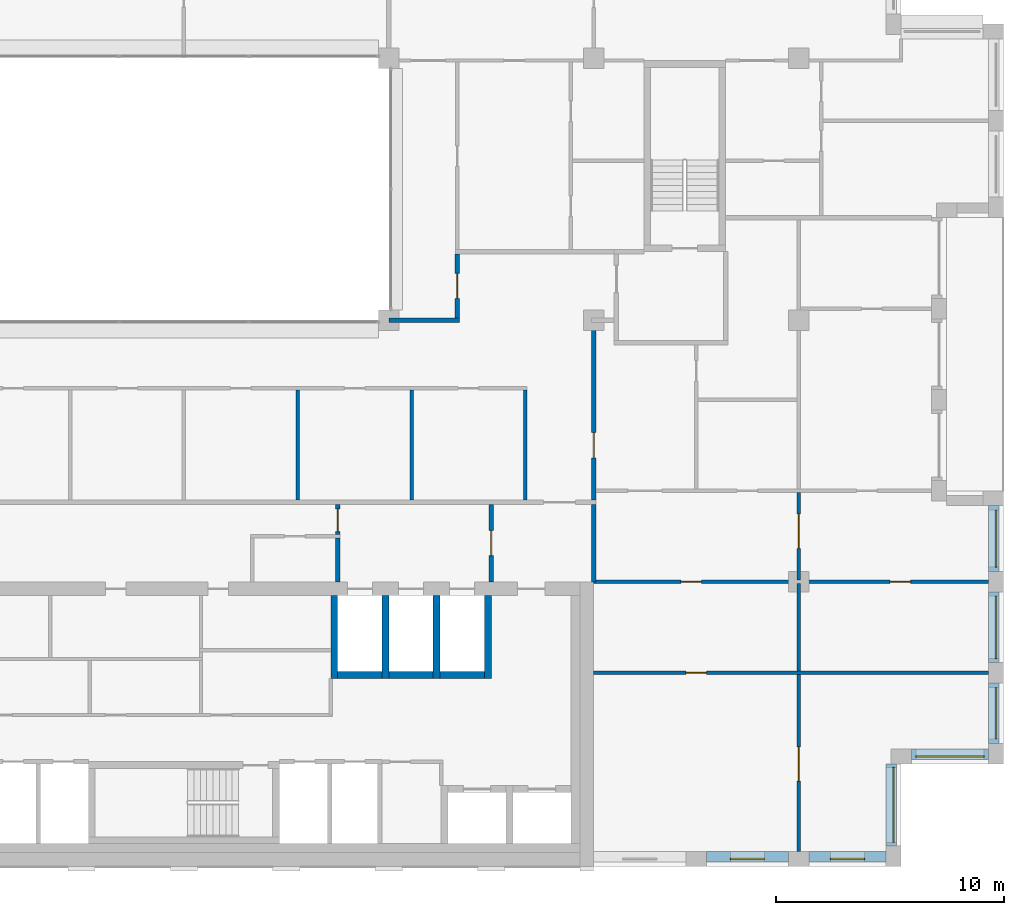
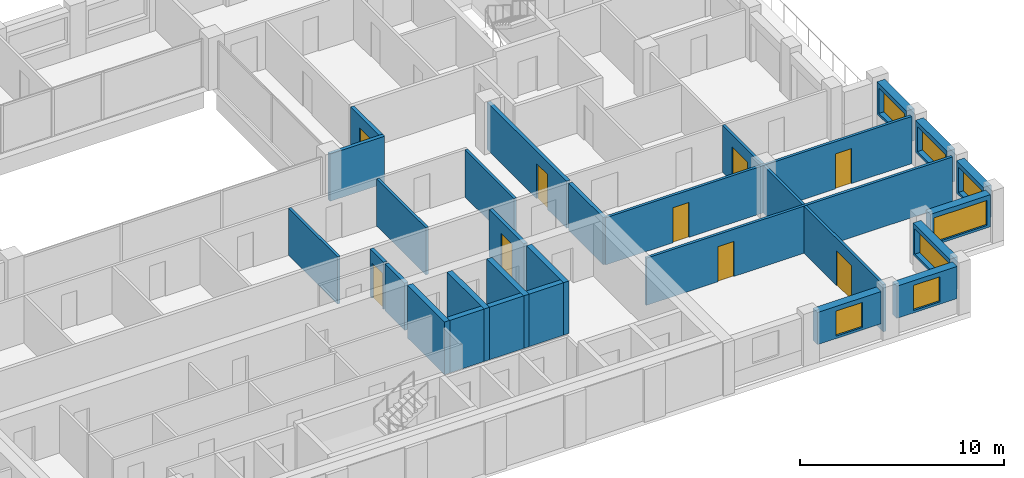
# One storey, part 11 of 15: 29 walls, 9 doors, 7 windows, 16 openings.
"""IFC4 building model written with IfcOpenShell, lengths in metres."""

from ifc_helpers import new_model, si_unit, direction, frame, frame_2d, origin, place, context, subcontext, project, spatial, rectangle, extrude, material, layer, layer_set, type_object, element, fill, save


model = new_model("IFC4")

# Units and contexts
model_context = context("Model", 3, precision=1e-05, world=origin(), true_north=direction((0.0, 1.0)))
body_context = subcontext(model_context, "Body", "Model", "MODEL_VIEW")
ifc_project = project(units=[si_unit("LENGTHUNIT", "METRE"), si_unit("AREAUNIT", "SQUARE_METRE"), si_unit("VOLUMEUNIT", "CUBIC_METRE"), si_unit("PLANEANGLEUNIT", "RADIAN"), si_unit("MASSUNIT", "GRAM", prefix="KILO")], contexts=[model_context])

# Site, building, storey
site_placement = place(None, origin())
site = spatial("IfcSite", under=ifc_project, at=site_placement, CompositionType="ELEMENT")
building_placement = place(site_placement, origin())
building = spatial("IfcBuilding", under=site, at=building_placement, Name="Brigalow Station Residences", CompositionType="ELEMENT")
storey_placement = place(building_placement, frame((0.0, 0.0, 210.60009765625)))
storey = spatial("IfcBuildingStorey", under=building, at=storey_placement, Name="L60", CompositionType="ELEMENT", Elevation=210.60009765625)

# Wall, opening, window
ifc_material_1 = material(Name="Clay brick masonry", Category="masonry")
ifc_layer_1 = layer(ifc_material_1, 0.449951171875)
ifc_layer_set_1 = layer_set([ifc_layer_1], Name="BRICK INFILL WALL 450")
wall_type_1 = type_object("IfcWallType", Name="BRICK INFILL WALL 450", PredefinedType="SOLIDWALL", material=ifc_layer_set_1)
wall_1_placement = place(storey_placement, frame((58.949951171875, 0.425048828125, 0.89990234375), z_axis=(0.0, 0.0, 1.0), x_axis=(1.0, 0.0, 0.0)))
wall_1 = element("IfcWall", 1, at=wall_1_placement, inside=storey, type_object=wall_type_1, Name="L60/ewall/W-L60-4", PredefinedType="SOLIDWALL", context=body_context, shape_type="SweptSolid", body=[
    extrude(rectangle(XDim=3.60009765625, YDim=0.449951171875, at=frame_2d((1.800048828125, 0.0))), origin(), (0.0, 0.0, 1.0), 1.929931640625),
])
opening_1_placement = place(wall_1_placement, frame((1.050048828125, 0.0, 0.14990234375)))
opening_1 = element("IfcOpeningElement", 2, at=opening_1_placement, cuts=wall_1, Name="Opening WT-1", PredefinedType="OPENING", context=body_context, shape_type="SweptSolid", body=[
    extrude(rectangle(XDim=1.5, YDim=1.5, at=frame_2d((0.75, 0.75))), frame((0.0, 0.23486328125, 0.0), z_axis=(0.0, -1.0, 0.0), x_axis=(1.0, 0.0, 0.0)), (0.0, 0.0, 1.0), 0.469970703125),
])
ifc_material_2 = material(Name="Anodised aluminium frame with double glazing", Category="aluminium")
window_type_1 = type_object("IfcWindowType", Name="WINDOW 1500x1500", PartitioningType="SINGLE_PANEL", PredefinedType="WINDOW", material=ifc_material_2)
window_1_placement = place(opening_1_placement, origin())
window_1 = element("IfcWindow", 3, at=window_1_placement, inside=storey, type_object=window_type_1, Name="L60/window/W-L60-4", OverallHeight=1.5, OverallWidth=1.5, PartitioningType="SINGLE_PANEL", PredefinedType="WINDOW", context=body_context, shape_type="SweptSolid", body=[
    extrude(rectangle(XDim=1.5, YDim=1.5, at=frame_2d((0.75, 0.75))), frame((0.0, -0.06494140625, 0.0), z_axis=(0.0, -1.0, 0.0), x_axis=(1.0, 0.0, 0.0)), (0.0, 0.0, 1.0), 0.06005859375),
])
fill(opening_1, window_1)

wall_2_placement = place(storey_placement, frame((63.449951171875, 0.425048828125, 0.89990234375), z_axis=(0.0, 0.0, 1.0), x_axis=(1.0, 0.0, 0.0)))
wall_2 = element("IfcWall", 4, at=wall_2_placement, inside=storey, type_object=wall_type_1, Name="L60/ewall/W-L60-5", PredefinedType="SOLIDWALL", context=body_context, shape_type="SweptSolid", body=[
    extrude(rectangle(XDim=3.400146484375, YDim=0.449951171875, at=frame_2d((1.7001953125, 0.0))), origin(), (0.0, 0.0, 1.0), 1.929931640625),
])
opening_2_placement = place(wall_2_placement, frame((0.949951171875, 0.0, 0.14990234375)))
opening_2 = element("IfcOpeningElement", 5, at=opening_2_placement, cuts=wall_2, Name="Opening WT-1", PredefinedType="OPENING", context=body_context, shape_type="SweptSolid", body=[
    extrude(rectangle(XDim=1.5, YDim=1.5, at=frame_2d((0.75, 0.75))), frame((0.0, 0.23486328125, 0.0), z_axis=(0.0, -1.0, 0.0), x_axis=(1.0, 0.0, 0.0)), (0.0, 0.0, 1.0), 0.469970703125),
])
window_2_placement = place(opening_2_placement, origin())
window_2 = element("IfcWindow", 6, at=window_2_placement, inside=storey, type_object=window_type_1, Name="L60/window/W-L60-5", OverallHeight=1.5, OverallWidth=1.5, PartitioningType="SINGLE_PANEL", PredefinedType="WINDOW", context=body_context, shape_type="SweptSolid", body=[
    extrude(rectangle(XDim=1.5, YDim=1.5, at=frame_2d((0.75, 0.75))), frame((0.0, -0.06494140625, 0.0), z_axis=(0.0, -1.0, 0.0), x_axis=(1.0, 0.0, 0.0)), (0.0, 0.0, 1.0), 0.06005859375),
])
fill(opening_2, window_2)

wall_3_placement = place(storey_placement, frame((67.074951171875, 0.89990234375, 0.89990234375), z_axis=(0.0, 0.0, 1.0), x_axis=(0.0, 1.0, 0.0)))
wall_3 = element("IfcWall", 7, at=wall_3_placement, inside=storey, type_object=wall_type_1, Name="L60/ewall/W-L60-6", PredefinedType="SOLIDWALL", context=body_context, shape_type="SweptSolid", body=[
    extrude(rectangle(XDim=3.60009765625, YDim=0.449951171875, at=frame_2d((1.800048828125, 0.0))), origin(), (0.0, 0.0, 1.0), 1.929931640625),
])
opening_3_placement = place(wall_3_placement, frame((0.14990234375, 0.0, 0.14990234375)))
opening_3 = element("IfcOpeningElement", 8, at=opening_3_placement, cuts=wall_3, Name="Opening WT-10", PredefinedType="OPENING", context=body_context, shape_type="SweptSolid", body=[
    extrude(rectangle(XDim=3.300048828125, YDim=1.5, at=frame_2d((1.64990234375, 0.75))), frame((0.0, 0.23486328125, 0.0), z_axis=(0.0, -1.0, 0.0), x_axis=(1.0, 0.0, 0.0)), (0.0, 0.0, 1.0), 0.469970703125),
])
ifc_material_3 = material(Name="Anodised aluminium frame with double glazing", Category="aluminium")
window_type_2 = type_object("IfcWindowType", Name="WINDOW 3300x1500", PartitioningType="SINGLE_PANEL", PredefinedType="WINDOW", material=ifc_material_3)
window_3_placement = place(opening_3_placement, origin())
window_3 = element("IfcWindow", 9, at=window_3_placement, inside=storey, type_object=window_type_2, Name="L60/window/W-L60-6", OverallHeight=1.5, OverallWidth=3.300048828125, PartitioningType="SINGLE_PANEL", PredefinedType="WINDOW", context=body_context, shape_type="SweptSolid", body=[
    extrude(rectangle(XDim=3.300048828125, YDim=1.5, at=frame_2d((1.64990234375, 0.75))), frame((0.0, -0.06494140625, 0.0), z_axis=(0.0, -1.0, 0.0), x_axis=(1.0, 0.0, 0.0)), (0.0, 0.0, 1.0), 0.06005859375),
])
fill(opening_3, window_3)

wall_4_placement = place(storey_placement, frame((67.949951171875, 4.925048828125, 0.89990234375), z_axis=(0.0, 0.0, 1.0), x_axis=(1.0, 0.0, 0.0)))
wall_4 = element("IfcWall", 10, at=wall_4_placement, inside=storey, type_object=wall_type_1, Name="L60/ewall/W-L60-7", PredefinedType="SOLIDWALL", context=body_context, shape_type="SweptSolid", body=[
    extrude(rectangle(XDim=3.400146484375, YDim=0.449951171875, at=frame_2d((1.7001953125, 0.0))), origin(), (0.0, 0.0, 1.0), 1.929931640625),
])
opening_4_placement = place(wall_4_placement, frame((0.199951171875, 0.0, 0.14990234375)))
opening_4 = element("IfcOpeningElement", 11, at=opening_4_placement, cuts=wall_4, Name="Opening WT-2", PredefinedType="OPENING", context=body_context, shape_type="SweptSolid", body=[
    extrude(rectangle(XDim=3.0, YDim=1.5, at=frame_2d((1.5, 0.75))), frame((0.0, 0.23486328125, 0.0), z_axis=(0.0, -1.0, 0.0), x_axis=(1.0, 0.0, 0.0)), (0.0, 0.0, 1.0), 0.469970703125),
])
ifc_material_4 = material(Name="Anodised aluminium frame with double glazing", Category="aluminium")
window_type_3 = type_object("IfcWindowType", Name="WINDOW 3000x1500", PartitioningType="SINGLE_PANEL", PredefinedType="WINDOW", material=ifc_material_4)
window_4_placement = place(opening_4_placement, origin())
window_4 = element("IfcWindow", 12, at=window_4_placement, inside=storey, type_object=window_type_3, Name="L60/window/W-L60-7", OverallHeight=1.5, OverallWidth=3.0, PartitioningType="SINGLE_PANEL", PredefinedType="WINDOW", context=body_context, shape_type="SweptSolid", body=[
    extrude(rectangle(XDim=3.0, YDim=1.5, at=frame_2d((1.5, 0.75))), frame((0.0, -0.06494140625, 0.0), z_axis=(0.0, -1.0, 0.0), x_axis=(1.0, 0.0, 0.0)), (0.0, 0.0, 1.0), 0.06005859375),
])
fill(opening_4, window_4)

wall_5_placement = place(storey_placement, frame((71.574951171875, 5.39990234375, 0.89990234375), z_axis=(0.0, 0.0, 1.0), x_axis=(0.0, 1.0, 0.0)))
wall_5 = element("IfcWall", 13, at=wall_5_placement, inside=storey, type_object=wall_type_1, Name="L60/ewall/W-L60-8", PredefinedType="SOLIDWALL", context=body_context, shape_type="SweptSolid", body=[
    extrude(rectangle(XDim=2.650146484375, YDim=0.449951171875, at=frame_2d((1.3251953125, 0.0))), origin(), (0.0, 0.0, 1.0), 1.929931640625),
])
opening_5_placement = place(wall_5_placement, frame((0.199951171875, 0.0, 0.14990234375)))
opening_5 = element("IfcOpeningElement", 14, at=opening_5_placement, cuts=wall_5, Name="Opening WT-6", PredefinedType="OPENING", context=body_context, shape_type="SweptSolid", body=[
    extrude(rectangle(XDim=2.25, YDim=1.5, at=frame_2d((1.125, 0.75))), frame((0.0, 0.23486328125, 0.0), z_axis=(0.0, -1.0, 0.0), x_axis=(1.0, 0.0, 0.0)), (0.0, 0.0, 1.0), 0.469970703125),
])
ifc_material_5 = material(Name="Anodised aluminium frame with double glazing", Category="aluminium")
window_type_4 = type_object("IfcWindowType", Name="WINDOW 2250x1500", PartitioningType="SINGLE_PANEL", PredefinedType="WINDOW", material=ifc_material_5)
window_5_placement = place(opening_5_placement, origin())
window_5 = element("IfcWindow", 15, at=window_5_placement, inside=storey, type_object=window_type_4, Name="L60/window/W-L60-8", OverallHeight=1.5, OverallWidth=2.25, PartitioningType="SINGLE_PANEL", PredefinedType="WINDOW", context=body_context, shape_type="SweptSolid", body=[
    extrude(rectangle(XDim=2.25, YDim=1.5, at=frame_2d((1.125, 0.75))), frame((0.0, -0.06494140625, 0.0), z_axis=(0.0, -1.0, 0.0), x_axis=(1.0, 0.0, 0.0)), (0.0, 0.0, 1.0), 0.06005859375),
])
fill(opening_5, window_5)

wall_6_placement = place(storey_placement, frame((71.574951171875, 8.949951171875, 0.89990234375), z_axis=(0.0, 0.0, 1.0), x_axis=(0.0, 1.0, 0.0)))
wall_6 = element("IfcWall", 16, at=wall_6_placement, inside=storey, type_object=wall_type_1, Name="L60/ewall/W-L60-9", PredefinedType="SOLIDWALL", context=body_context, shape_type="SweptSolid", body=[
    extrude(rectangle(XDim=3.10009765625, YDim=0.449951171875, at=frame_2d((1.550048828125, 0.0))), origin(), (0.0, 0.0, 1.0), 1.929931640625),
])
opening_6_placement = place(wall_6_placement, frame((0.175048828125, 0.0, 0.14990234375)))
opening_6 = element("IfcOpeningElement", 17, at=opening_6_placement, cuts=wall_6, Name="Opening WT-3", PredefinedType="OPENING", context=body_context, shape_type="SweptSolid", body=[
    extrude(rectangle(XDim=2.75, YDim=1.5, at=frame_2d((1.375, 0.75))), frame((0.0, 0.23486328125, 0.0), z_axis=(0.0, -1.0, 0.0), x_axis=(1.0, 0.0, 0.0)), (0.0, 0.0, 1.0), 0.469970703125),
])
ifc_material_6 = material(Name="Anodised aluminium frame with double glazing", Category="aluminium")
window_type_5 = type_object("IfcWindowType", Name="WINDOW 2750x1500", PartitioningType="SINGLE_PANEL", PredefinedType="WINDOW", material=ifc_material_6)
window_6_placement = place(opening_6_placement, origin())
window_6 = element("IfcWindow", 18, at=window_6_placement, inside=storey, type_object=window_type_5, Name="L60/window/W-L60-9", OverallHeight=1.5, OverallWidth=2.75, PartitioningType="SINGLE_PANEL", PredefinedType="WINDOW", context=body_context, shape_type="SweptSolid", body=[
    extrude(rectangle(XDim=2.75, YDim=1.5, at=frame_2d((1.375, 0.75))), frame((0.0, -0.06494140625, 0.0), z_axis=(0.0, -1.0, 0.0), x_axis=(1.0, 0.0, 0.0)), (0.0, 0.0, 1.0), 0.06005859375),
])
fill(opening_6, window_6)

wall_7_placement = place(storey_placement, frame((71.574951171875, 12.949951171875, 0.89990234375), z_axis=(0.0, 0.0, 1.0), x_axis=(0.0, 1.0, 0.0)))
wall_7 = element("IfcWall", 19, at=wall_7_placement, inside=storey, type_object=wall_type_1, Name="L60/ewall/W-L60-10", PredefinedType="SOLIDWALL", context=body_context, shape_type="SweptSolid", body=[
    extrude(rectangle(XDim=2.900146484375, YDim=0.449951171875, at=frame_2d((1.4501953125, 0.0))), origin(), (0.0, 0.0, 1.0), 1.929931640625),
])
opening_7_placement = place(wall_7_placement, frame((0.199951171875, 0.0, 0.14990234375)))
opening_7 = element("IfcOpeningElement", 20, at=opening_7_placement, cuts=wall_7, Name="Opening WT-5", PredefinedType="OPENING", context=body_context, shape_type="SweptSolid", body=[
    extrude(rectangle(XDim=2.5, YDim=1.5, at=frame_2d((1.25, 0.75))), frame((0.0, 0.23486328125, 0.0), z_axis=(0.0, -1.0, 0.0), x_axis=(1.0, 0.0, 0.0)), (0.0, 0.0, 1.0), 0.469970703125),
])
ifc_material_7 = material(Name="Anodised aluminium frame with double glazing", Category="aluminium")
window_type_6 = type_object("IfcWindowType", Name="WINDOW 2500x1500", PartitioningType="SINGLE_PANEL", PredefinedType="WINDOW", material=ifc_material_7)
window_7_placement = place(opening_7_placement, origin())
window_7 = element("IfcWindow", 21, at=window_7_placement, inside=storey, type_object=window_type_6, Name="L60/window/W-L60-10", OverallHeight=1.5, OverallWidth=2.5, PartitioningType="SINGLE_PANEL", PredefinedType="WINDOW", context=body_context, shape_type="SweptSolid", body=[
    extrude(rectangle(XDim=2.5, YDim=1.5, at=frame_2d((1.25, 0.75))), frame((0.0, -0.06494140625, 0.0), z_axis=(0.0, -1.0, 0.0), x_axis=(1.0, 0.0, 0.0)), (0.0, 0.0, 1.0), 0.06005859375),
])
fill(opening_7, window_7)

# Walls
ifc_material_8 = material(Name="Concrete C50", Category="concrete")
ifc_layer_2 = layer(ifc_material_8, 0.300048828125)
ifc_layer_set_2 = layer_set([ifc_layer_2], Name="CORE SHEAR WALL 300 C50")
wall_type_2 = type_object("IfcWallType", Name="CORE SHEAR WALL 300 C50", PredefinedType="SHEAR", material=ifc_layer_set_2)
wall_8_placement = place(storey_placement, frame((42.75, 8.39990234375, 0.0), z_axis=(0.0, 0.0, 1.0), x_axis=(1.0, 0.0, 0.0)))
element("IfcWall", 22, at=wall_8_placement, inside=storey, type_object=wall_type_2, Name="CORE WALL SH-FF1-S L60", PredefinedType="SHEAR", context=body_context, shape_type="SweptSolid", body=[
    extrude(rectangle(XDim=1.949951171875, YDim=0.300048828125, at=frame_2d((0.97509765625, 0.0))), origin(), (0.0, 0.0, 1.0), 3.14990234375),
])
wall_9_placement = place(storey_placement, frame((42.60009765625, 8.25, 0.0), z_axis=(0.0, 0.0, 1.0), x_axis=(0.0, 1.0, 0.0)))
element("IfcWall", 23, at=wall_9_placement, inside=storey, type_object=wall_type_2, Name="CORE WALL SH-FF1-W L60", PredefinedType="SHEAR", context=body_context, shape_type="SweptSolid", body=[
    extrude(rectangle(XDim=3.64990234375, YDim=0.300048828125, at=frame_2d((1.824951171875, 0.0))), origin(), (0.0, 0.0, 1.0), 3.14990234375),
])
wall_10_placement = place(storey_placement, frame((45.0, 8.39990234375, 0.0), z_axis=(0.0, 0.0, 1.0), x_axis=(1.0, 0.0, 0.0)))
element("IfcWall", 24, at=wall_10_placement, inside=storey, type_object=wall_type_2, Name="CORE WALL SH-FF2-S L60", PredefinedType="SHEAR", context=body_context, shape_type="SweptSolid", body=[
    extrude(rectangle(XDim=1.949951171875, YDim=0.300048828125, at=frame_2d((0.97509765625, 0.0))), origin(), (0.0, 0.0, 1.0), 3.14990234375),
])
wall_11_placement = place(storey_placement, frame((44.85009765625, 8.25, 0.0), z_axis=(0.0, 0.0, 1.0), x_axis=(0.0, 1.0, 0.0)))
element("IfcWall", 25, at=wall_11_placement, inside=storey, type_object=wall_type_2, Name="CORE WALL SH-FF2-W L60", PredefinedType="SHEAR", context=body_context, shape_type="SweptSolid", body=[
    extrude(rectangle(XDim=3.64990234375, YDim=0.300048828125, at=frame_2d((1.824951171875, 0.0))), origin(), (0.0, 0.0, 1.0), 3.14990234375),
])
wall_12_placement = place(storey_placement, frame((47.25, 8.39990234375, 0.0), z_axis=(0.0, 0.0, 1.0), x_axis=(1.0, 0.0, 0.0)))
element("IfcWall", 26, at=wall_12_placement, inside=storey, type_object=wall_type_2, Name="CORE WALL SH-SL1-S L60", PredefinedType="SHEAR", context=body_context, shape_type="SweptSolid", body=[
    extrude(rectangle(XDim=1.949951171875, YDim=0.300048828125, at=frame_2d((0.97509765625, 0.0))), origin(), (0.0, 0.0, 1.0), 3.14990234375),
])
for number, where, z_axis, x_axis, name in (
    (27, (47.10009765625, 8.25, 0.0), (0.0, 0.0, 1.0), (0.0, 1.0, 0.0), "CORE WALL SH-SL1-W L60"),
    (28, (49.35009765625, 8.25, 0.0), (0.0, 0.0, 1.0), (0.0, 1.0, 0.0), "CORE WALL SH-SL1-E L60"),
):
    element("IfcWall", number, at=place(storey_placement, frame(where, z_axis=z_axis, x_axis=x_axis)), inside=storey, type_object=wall_type_2, Name=name, PredefinedType="SHEAR", context=body_context, shape_type="SweptSolid", body=[
        extrude(rectangle(XDim=3.64990234375, YDim=0.300048828125, at=frame_2d((1.824951171875, 0.0))), origin(), (0.0, 0.0, 1.0), 3.14990234375),
    ])
ifc_material_9 = material(Name="Concrete blockwork", Category="masonry")
ifc_layer_3 = layer(ifc_material_9, 0.199951171875)
ifc_layer_set_3 = layer_set([ifc_layer_3], Name="FIRE RATED CORE PARTITION 200")
wall_type_3 = type_object("IfcWallType", Name="FIRE RATED CORE PARTITION 200", PredefinedType="PARTITIONING", material=ifc_layer_set_3)
wall_13_placement = place(storey_placement, frame((42.75, 12.5, 0.0), z_axis=(0.0, 0.0, 1.0), x_axis=(0.0, 1.0, 0.0)))
element("IfcWall", 29, at=wall_13_placement, inside=storey, type_object=wall_type_3, Name="PW-5046", PredefinedType="PARTITIONING", context=body_context, shape_type="SweptSolid", body=[
    extrude(rectangle(XDim=1.925048828125, YDim=0.199951171875, at=frame_2d((0.96240234375, 0.0))), origin(), (0.0, 0.0, 1.0), 2.829833984375),
])

# Wall, opening, door
wall_14_placement = place(storey_placement, frame((49.5, 12.5, 0.0), z_axis=(0.0, 0.0, 1.0), x_axis=(0.0, 1.0, 0.0)))
wall_14 = element("IfcWall", 30, at=wall_14_placement, inside=storey, type_object=wall_type_3, Name="PW-5015", PredefinedType="PARTITIONING", context=body_context, shape_type="SweptSolid", body=[
    extrude(rectangle(XDim=3.39990234375, YDim=0.199951171875, at=frame_2d((1.699951171875, 0.0))), origin(), (0.0, 0.0, 1.0), 2.829833984375),
])
opening_8_placement = place(wall_14_placement, frame((1.14990234375, 0.0, 0.0)))
opening_8 = element("IfcOpeningElement", 31, at=opening_8_placement, cuts=wall_14, Name="Opening D-5014", PredefinedType="OPENING", context=body_context, shape_type="SweptSolid", body=[
    extrude(rectangle(XDim=1.10009765625, YDim=2.10009765625, at=frame_2d((0.550048828125, 1.050048828125))), frame((0.0, 0.10986328125, 0.0), z_axis=(0.0, -1.0, 0.0), x_axis=(1.0, 0.0, 0.0)), (0.0, 0.0, 1.0), 0.219970703125),
])
ifc_material_10 = material(Name="Steel fire door leaf in steel frame", Category="steel")
door_type_1 = type_object("IfcDoorType", Name="LOBBY DOOR 1100 x 2100 FD60S", OperationType="SINGLE_SWING_LEFT", PredefinedType="DOOR", material=ifc_material_10)
door_1_placement = place(opening_8_placement, origin())
door_1 = element("IfcDoor", 32, at=door_1_placement, inside=storey, type_object=door_type_1, Name="D-5014", OperationType="SINGLE_SWING_LEFT", OverallHeight=2.10009765625, OverallWidth=1.10009765625, PredefinedType="DOOR", context=body_context, shape_type="SweptSolid", body=[
    extrude(rectangle(XDim=1.10009765625, YDim=2.10009765625, at=frame_2d((0.550048828125, 1.050048828125))), frame((0.0, 0.02490234375, 0.0), z_axis=(0.0, -1.0, 0.0), x_axis=(1.0, 0.0, 0.0)), (0.0, 0.0, 1.0), 0.050048828125),
])
fill(opening_8, door_1)

# Wall
wall_15_placement = place(storey_placement, frame((54.0, 12.5, 0.0), z_axis=(0.0, 0.0, 1.0), x_axis=(0.0, 1.0, 0.0)))
element("IfcWall", 33, at=wall_15_placement, inside=storey, type_object=wall_type_3, Name="PW-5016", PredefinedType="PARTITIONING", context=body_context, shape_type="SweptSolid", body=[
    extrude(rectangle(XDim=3.39990234375, YDim=0.199951171875, at=frame_2d((1.699951171875, 0.0))), origin(), (0.0, 0.0, 1.0), 2.829833984375),
])

# Wall, opening, door
wall_16_placement = place(storey_placement, frame((42.75, 14.574951171875, 0.0), z_axis=(0.0, 0.0, 1.0), x_axis=(0.0, 1.0, 0.0)))
wall_16 = element("IfcWall", 34, at=wall_16_placement, inside=storey, type_object=wall_type_3, Name="PW-5047", PredefinedType="PARTITIONING", context=body_context, shape_type="SweptSolid", body=[
    extrude(rectangle(XDim=1.324951171875, YDim=0.199951171875, at=frame_2d((0.66259765625, 0.0))), origin(), (0.0, 0.0, 1.0), 2.829833984375),
])
opening_9_placement = place(wall_16_placement, frame((0.125, 0.0, 0.0)))
opening_9 = element("IfcOpeningElement", 35, at=opening_9_placement, cuts=wall_16, Name="Opening D-5013", PredefinedType="OPENING", context=body_context, shape_type="SweptSolid", body=[
    extrude(rectangle(XDim=1.0, YDim=2.10009765625, at=frame_2d((0.5, 1.050048828125))), frame((0.0, 0.10986328125, 0.0), z_axis=(0.0, -1.0, 0.0), x_axis=(1.0, 0.0, 0.0)), (0.0, 0.0, 1.0), 0.219970703125),
])
ifc_material_11 = material(Name="Steel fire door leaf in steel frame", Category="steel")
door_type_2 = type_object("IfcDoorType", Name="LOBBY DOOR 1000 x 2100 FD60S", OperationType="SINGLE_SWING_LEFT", PredefinedType="DOOR", material=ifc_material_11)
door_2_placement = place(opening_9_placement, origin())
door_2 = element("IfcDoor", 36, at=door_2_placement, inside=storey, type_object=door_type_2, Name="D-5013", OperationType="SINGLE_SWING_LEFT", OverallHeight=2.10009765625, OverallWidth=1.0, PredefinedType="DOOR", context=body_context, shape_type="SweptSolid", body=[
    extrude(rectangle(XDim=1.0, YDim=2.10009765625, at=frame_2d((0.5, 1.050048828125))), frame((0.0, 0.02490234375, 0.0), z_axis=(0.0, -1.0, 0.0), x_axis=(1.0, 0.0, 0.0)), (0.0, 0.0, 1.0), 0.050048828125),
])
fill(opening_9, door_2)

# Wall, openings, doors
ifc_material_12 = material(Name="Plasterboard on steel stud partition", Category="steel")
ifc_layer_4 = layer(ifc_material_12, 0.14990234375)
ifc_layer_set_4 = layer_set([ifc_layer_4], Name="FLAT PARTITION 150")
wall_type_4 = type_object("IfcWallType", Name="FLAT PARTITION 150", PredefinedType="PARTITIONING", material=ifc_layer_set_4)
wall_17_placement = place(storey_placement, frame((54.0, 12.5, 0.0), z_axis=(0.0, 0.0, 1.0), x_axis=(1.0, 0.0, 0.0)))
wall_17 = element("IfcWall", 37, at=wall_17_placement, inside=storey, type_object=wall_type_4, Name="PW-4B11", PredefinedType="PARTITIONING", context=body_context, shape_type="SweptSolid", body=[
    extrude(rectangle(XDim=17.35009765625, YDim=0.14990234375, at=frame_2d((8.675048828125, 0.0))), origin(), (0.0, 0.0, 1.0), 2.829833984375),
])
opening_10_placement = place(wall_17_placement, frame((3.824951171875, 0.0, 0.0)))
opening_10 = element("IfcOpeningElement", 38, at=opening_10_placement, cuts=wall_17, Name="Opening D-4B34", PredefinedType="OPENING", context=body_context, shape_type="SweptSolid", body=[
    extrude(rectangle(XDim=0.89990234375, YDim=2.10009765625, at=frame_2d((0.449951171875, 1.050048828125))), frame((0.0, 0.0849609375, 0.0), z_axis=(0.0, -1.0, 0.0), x_axis=(1.0, 0.0, 0.0)), (0.0, 0.0, 1.0), 0.169921875),
])
opening_11_placement = place(wall_17_placement, frame((13.02490234375, 0.0, 0.0)))
opening_11 = element("IfcOpeningElement", 39, at=opening_11_placement, cuts=wall_17, Name="Opening D-4B38", PredefinedType="OPENING", context=body_context, shape_type="SweptSolid", body=[
    extrude(rectangle(XDim=0.89990234375, YDim=2.10009765625, at=frame_2d((0.449951171875, 1.050048828125))), frame((0.0, 0.0849609375, 0.0), z_axis=(0.0, -1.0, 0.0), x_axis=(1.0, 0.0, 0.0)), (0.0, 0.0, 1.0), 0.169921875),
])
ifc_material_13 = material(Name="Solid-core timber door leaf", Category="wood")
door_type_3 = type_object("IfcDoorType", Name="INTERNAL DOOR 900 x 2100", OperationType="SINGLE_SWING_LEFT", PredefinedType="DOOR", material=ifc_material_13)
door_3_placement = place(opening_10_placement, origin())
door_3 = element("IfcDoor", 40, at=door_3_placement, inside=storey, type_object=door_type_3, Name="D-4B34", OperationType="SINGLE_SWING_LEFT", OverallHeight=2.10009765625, OverallWidth=0.89990234375, PredefinedType="DOOR", context=body_context, shape_type="SweptSolid", body=[
    extrude(rectangle(XDim=0.89990234375, YDim=2.10009765625, at=frame_2d((0.449951171875, 1.050048828125))), frame((0.0, 0.02490234375, 0.0), z_axis=(0.0, -1.0, 0.0), x_axis=(1.0, 0.0, 0.0)), (0.0, 0.0, 1.0), 0.050048828125),
])
fill(opening_10, door_3)
door_4_placement = place(opening_11_placement, origin())
door_4 = element("IfcDoor", 41, at=door_4_placement, inside=storey, type_object=door_type_3, Name="D-4B38", OperationType="SINGLE_SWING_RIGHT", OverallHeight=2.10009765625, OverallWidth=0.89990234375, PredefinedType="DOOR", context=body_context, shape_type="SweptSolid", body=[
    extrude(rectangle(XDim=0.89990234375, YDim=2.10009765625, at=frame_2d((0.449951171875, 1.050048828125))), frame((0.0, 0.02490234375, 0.0), z_axis=(0.0, -1.0, 0.0), x_axis=(1.0, 0.0, 0.0)), (0.0, 0.0, 1.0), 0.050048828125),
])
fill(opening_11, door_4)

# Wall, opening, door
wall_18_placement = place(storey_placement, frame((54.0, 8.5, 0.0), z_axis=(0.0, 0.0, 1.0), x_axis=(1.0, 0.0, 0.0)))
wall_18 = element("IfcWall", 42, at=wall_18_placement, inside=storey, type_object=wall_type_4, Name="PW-4B13", PredefinedType="PARTITIONING", context=body_context, shape_type="SweptSolid", body=[
    extrude(rectangle(XDim=17.35009765625, YDim=0.14990234375, at=frame_2d((8.675048828125, 0.0))), origin(), (0.0, 0.0, 1.0), 2.829833984375),
])
opening_12_placement = place(wall_18_placement, frame((4.050048828125, 0.0, 0.0)))
opening_12 = element("IfcOpeningElement", 43, at=opening_12_placement, cuts=wall_18, Name="Opening D-4B35", PredefinedType="OPENING", context=body_context, shape_type="SweptSolid", body=[
    extrude(rectangle(XDim=0.89990234375, YDim=2.10009765625, at=frame_2d((0.449951171875, 1.050048828125))), frame((0.0, 0.0849609375, 0.0), z_axis=(0.0, -1.0, 0.0), x_axis=(1.0, 0.0, 0.0)), (0.0, 0.0, 1.0), 0.169921875),
])
door_5_placement = place(opening_12_placement, origin())
door_5 = element("IfcDoor", 44, at=door_5_placement, inside=storey, type_object=door_type_3, Name="D-4B35", OperationType="SINGLE_SWING_RIGHT", OverallHeight=2.10009765625, OverallWidth=0.89990234375, PredefinedType="DOOR", context=body_context, shape_type="SweptSolid", body=[
    extrude(rectangle(XDim=0.89990234375, YDim=2.10009765625, at=frame_2d((0.449951171875, 1.050048828125))), frame((0.0, 0.02490234375, 0.0), z_axis=(0.0, -1.0, 0.0), x_axis=(1.0, 0.0, 0.0)), (0.0, 0.0, 1.0), 0.050048828125),
])
fill(opening_12, door_5)

# Wall
wall_19_placement = place(storey_placement, frame((51.0, 16.10009765625, 0.0), z_axis=(0.0, 0.0, 1.0), x_axis=(0.0, 1.0, 0.0)))
element("IfcWall", 45, at=wall_19_placement, inside=storey, type_object=wall_type_4, Name="PW-4B32", PredefinedType="PARTITIONING", context=body_context, shape_type="SweptSolid", body=[
    extrude(rectangle(XDim=4.824951171875, YDim=0.14990234375, at=frame_2d((2.41259765625, 0.0))), origin(), (0.0, 0.0, 1.0), 2.829833984375),
])

# Wall, opening, door
wall_20_placement = place(storey_placement, frame((63.0, 0.64990234375, 0.0), z_axis=(0.0, 0.0, 1.0), x_axis=(0.0, 1.0, 0.0)))
wall_20 = element("IfcWall", 46, at=wall_20_placement, inside=storey, type_object=wall_type_4, Name="PW-4B47", PredefinedType="PARTITIONING", context=body_context, shape_type="SweptSolid", body=[
    extrude(rectangle(XDim=7.775146484375, YDim=0.14990234375, at=frame_2d((3.8876953125, 0.0))), origin(), (0.0, 0.0, 1.0), 2.829833984375),
])
opening_13_placement = place(wall_20_placement, frame((3.10009765625, 0.0, 0.0)))
opening_13 = element("IfcOpeningElement", 47, at=opening_13_placement, cuts=wall_20, Name="Opening D-4B36", PredefinedType="OPENING", context=body_context, shape_type="SweptSolid", body=[
    extrude(rectangle(XDim=1.5, YDim=2.10009765625, at=frame_2d((0.75, 1.050048828125))), frame((0.0, 0.0849609375, 0.0), z_axis=(0.0, -1.0, 0.0), x_axis=(1.0, 0.0, 0.0)), (0.0, 0.0, 1.0), 0.169921875),
])
ifc_material_14 = material(Name="Solid-core timber door leaf", Category="wood")
door_type_4 = type_object("IfcDoorType", Name="INTERNAL DOUBLE DOOR 1500 x 2100", OperationType="DOUBLE_DOOR_SINGLE_SWING", PredefinedType="DOOR", material=ifc_material_14)
door_6_placement = place(opening_13_placement, frame((1.5, 0.0, 0.0), z_axis=(0.0, 0.0, 1.0), x_axis=(-1.0, 0.0, 0.0)))
door_6 = element("IfcDoor", 48, at=door_6_placement, inside=storey, type_object=door_type_4, Name="D-4B36", OperationType="DOUBLE_DOOR_SINGLE_SWING", OverallHeight=2.10009765625, OverallWidth=1.5, PredefinedType="DOOR", context=body_context, shape_type="SweptSolid", body=[
    extrude(rectangle(XDim=1.5, YDim=2.10009765625, at=frame_2d((0.75, 1.050048828125))), frame((0.0, 0.02490234375, 0.0), z_axis=(0.0, -1.0, 0.0), x_axis=(1.0, 0.0, 0.0)), (0.0, 0.0, 1.0), 0.050048828125),
])
fill(opening_13, door_6)

# Wall
wall_21_placement = place(storey_placement, frame((63.0, 8.574951171875, 0.0), z_axis=(0.0, 0.0, 1.0), x_axis=(0.0, 1.0, 0.0)))
element("IfcWall", 49, at=wall_21_placement, inside=storey, type_object=wall_type_4, Name="PW-4B48", PredefinedType="PARTITIONING", context=body_context, shape_type="SweptSolid", body=[
    extrude(rectangle(XDim=3.85009765625, YDim=0.14990234375, at=frame_2d((1.925048828125, 0.0))), origin(), (0.0, 0.0, 1.0), 2.829833984375),
])

# Wall, opening, door
wall_22_placement = place(storey_placement, frame((63.0, 12.574951171875, 0.0), z_axis=(0.0, 0.0, 1.0), x_axis=(0.0, 1.0, 0.0)))
wall_22 = element("IfcWall", 50, at=wall_22_placement, inside=storey, type_object=wall_type_4, Name="PW-4B49", PredefinedType="PARTITIONING", context=body_context, shape_type="SweptSolid", body=[
    extrude(rectangle(XDim=3.85009765625, YDim=0.14990234375, at=frame_2d((1.925048828125, 0.0))), origin(), (0.0, 0.0, 1.0), 2.829833984375),
])
opening_14_placement = place(wall_22_placement, frame((1.39990234375, 0.0, 0.0)))
opening_14 = element("IfcOpeningElement", 51, at=opening_14_placement, cuts=wall_22, Name="Opening D-4B37", PredefinedType="OPENING", context=body_context, shape_type="SweptSolid", body=[
    extrude(rectangle(XDim=1.5, YDim=2.10009765625, at=frame_2d((0.75, 1.050048828125))), frame((0.0, 0.0849609375, 0.0), z_axis=(0.0, -1.0, 0.0), x_axis=(1.0, 0.0, 0.0)), (0.0, 0.0, 1.0), 0.169921875),
])
door_7_placement = place(opening_14_placement, frame((1.5, 0.0, 0.0), z_axis=(0.0, 0.0, 1.0), x_axis=(-1.0, 0.0, 0.0)))
door_7 = element("IfcDoor", 52, at=door_7_placement, inside=storey, type_object=door_type_4, Name="D-4B37", OperationType="DOUBLE_DOOR_SINGLE_SWING", OverallHeight=2.10009765625, OverallWidth=1.5, PredefinedType="DOOR", context=body_context, shape_type="SweptSolid", body=[
    extrude(rectangle(XDim=1.5, YDim=2.10009765625, at=frame_2d((0.75, 1.050048828125))), frame((0.0, 0.02490234375, 0.0), z_axis=(0.0, -1.0, 0.0), x_axis=(1.0, 0.0, 0.0)), (0.0, 0.0, 1.0), 0.050048828125),
])
fill(opening_14, door_7)

# Walls
for number, where, z_axis, x_axis, name in (
    (53, (41.0, 16.10009765625, 0.0), (0.0, 0.0, 1.0), (0.0, 1.0, 0.0), "PW-4B54"),
    (54, (46.0, 16.10009765625, 0.0), (0.0, 0.0, 1.0), (0.0, 1.0, 0.0), "PW-4B55"),
):
    element("IfcWall", number, at=place(storey_placement, frame(where, z_axis=z_axis, x_axis=x_axis)), inside=storey, type_object=wall_type_4, Name=name, PredefinedType="PARTITIONING", context=body_context, shape_type="SweptSolid", body=[
        extrude(rectangle(XDim=4.824951171875, YDim=0.14990234375, at=frame_2d((2.41259765625, 0.0))), origin(), (0.0, 0.0, 1.0), 2.829833984375),
    ])
ifc_material_15 = material(Name="Plasterboard on steel stud partition", Category="steel")
ifc_layer_5 = layer(ifc_material_15, 0.199951171875)
ifc_layer_set_5 = layer_set([ifc_layer_5], Name="PARTY AND CORRIDOR WALL 200")
wall_type_5 = type_object("IfcWallType", Name="PARTY AND CORRIDOR WALL 200", PredefinedType="PARTITIONING", material=ifc_layer_set_5)
wall_23_placement = place(storey_placement, frame((45.0, 24.0, 0.0), z_axis=(0.0, 0.0, 1.0), x_axis=(1.0, 0.0, 0.0)))
element("IfcWall", 55, at=wall_23_placement, inside=storey, type_object=wall_type_5, Name="PW-4B03", PredefinedType="PARTITIONING", context=body_context, shape_type="SweptSolid", body=[
    extrude(rectangle(XDim=3.10009765625, YDim=0.199951171875, at=frame_2d((1.550048828125, 0.0))), origin(), (0.0, 0.0, 1.0), 2.829833984375),
])

# Wall, opening, door
wall_24_placement = place(storey_placement, frame((54.0, 16.10009765625, 0.0), z_axis=(0.0, 0.0, 1.0), x_axis=(0.0, 1.0, 0.0)))
wall_24 = element("IfcWall", 56, at=wall_24_placement, inside=storey, type_object=wall_type_5, Name="PW-4B30", PredefinedType="PARTITIONING", context=body_context, shape_type="SweptSolid", body=[
    extrude(rectangle(XDim=7.7998046875, YDim=0.199951171875, at=frame_2d((3.89990234375, 0.0))), origin(), (0.0, 0.0, 1.0), 2.829833984375),
])
opening_15_placement = place(wall_24_placement, frame((1.85009765625, 0.0, 0.0)))
opening_15 = element("IfcOpeningElement", 57, at=opening_15_placement, cuts=wall_24, Name="Opening D-4B31", PredefinedType="OPENING", context=body_context, shape_type="SweptSolid", body=[
    extrude(rectangle(XDim=1.10009765625, YDim=2.10009765625, at=frame_2d((0.550048828125, 1.050048828125))), frame((0.0, 0.10986328125, 0.0), z_axis=(0.0, -1.0, 0.0), x_axis=(1.0, 0.0, 0.0)), (0.0, 0.0, 1.0), 0.219970703125),
])
ifc_material_16 = material(Name="Solid-core timber door leaf", Category="wood")
door_type_5 = type_object("IfcDoorType", Name="FLAT ENTRANCE DOOR 1100 x 2100 FRL -/60/30", OperationType="SINGLE_SWING_LEFT", PredefinedType="DOOR", material=ifc_material_16)
door_8_placement = place(opening_15_placement, frame((1.10009765625, 0.0, 0.0), z_axis=(0.0, 0.0, 1.0), x_axis=(-1.0, 0.0, 0.0)))
door_8 = element("IfcDoor", 58, at=door_8_placement, inside=storey, type_object=door_type_5, Name="D-4B31", OperationType="SINGLE_SWING_RIGHT", OverallHeight=2.10009765625, OverallWidth=1.10009765625, PredefinedType="DOOR", context=body_context, shape_type="SweptSolid", body=[
    extrude(rectangle(XDim=1.10009765625, YDim=2.10009765625, at=frame_2d((0.550048828125, 1.050048828125))), frame((0.0, 0.02490234375, 0.0), z_axis=(0.0, -1.0, 0.0), x_axis=(1.0, 0.0, 0.0)), (0.0, 0.0, 1.0), 0.050048828125),
])
fill(opening_15, door_8)

wall_25_placement = place(storey_placement, frame((48.0, 24.10009765625, 0.0), z_axis=(0.0, 0.0, 1.0), x_axis=(0.0, 1.0, 0.0)))
wall_25 = element("IfcWall", 59, at=wall_25_placement, inside=storey, type_object=wall_type_5, Name="PW-4B36", PredefinedType="PARTITIONING", context=body_context, shape_type="SweptSolid", body=[
    extrude(rectangle(XDim=2.7998046875, YDim=0.199951171875, at=frame_2d((1.39990234375, 0.0))), origin(), (0.0, 0.0, 1.0), 2.829833984375),
])
opening_16_placement = place(wall_25_placement, frame((0.85009765625, 0.0, 0.0)))
opening_16 = element("IfcOpeningElement", 60, at=opening_16_placement, cuts=wall_25, Name="Opening D-4B20", PredefinedType="OPENING", context=body_context, shape_type="SweptSolid", body=[
    extrude(rectangle(XDim=1.10009765625, YDim=2.10009765625, at=frame_2d((0.550048828125, 1.050048828125))), frame((0.0, 0.10986328125, 0.0), z_axis=(0.0, -1.0, 0.0), x_axis=(1.0, 0.0, 0.0)), (0.0, 0.0, 1.0), 0.219970703125),
])
door_9_placement = place(opening_16_placement, origin())
door_9 = element("IfcDoor", 61, at=door_9_placement, inside=storey, type_object=door_type_5, Name="D-4B20", OperationType="SINGLE_SWING_LEFT", OverallHeight=2.10009765625, OverallWidth=1.10009765625, PredefinedType="DOOR", context=body_context, shape_type="SweptSolid", body=[
    extrude(rectangle(XDim=1.10009765625, YDim=2.10009765625, at=frame_2d((0.550048828125, 1.050048828125))), frame((0.0, 0.02490234375, 0.0), z_axis=(0.0, -1.0, 0.0), x_axis=(1.0, 0.0, 0.0)), (0.0, 0.0, 1.0), 0.050048828125),
])
fill(opening_16, door_9)

save(model, "model.ifc")
